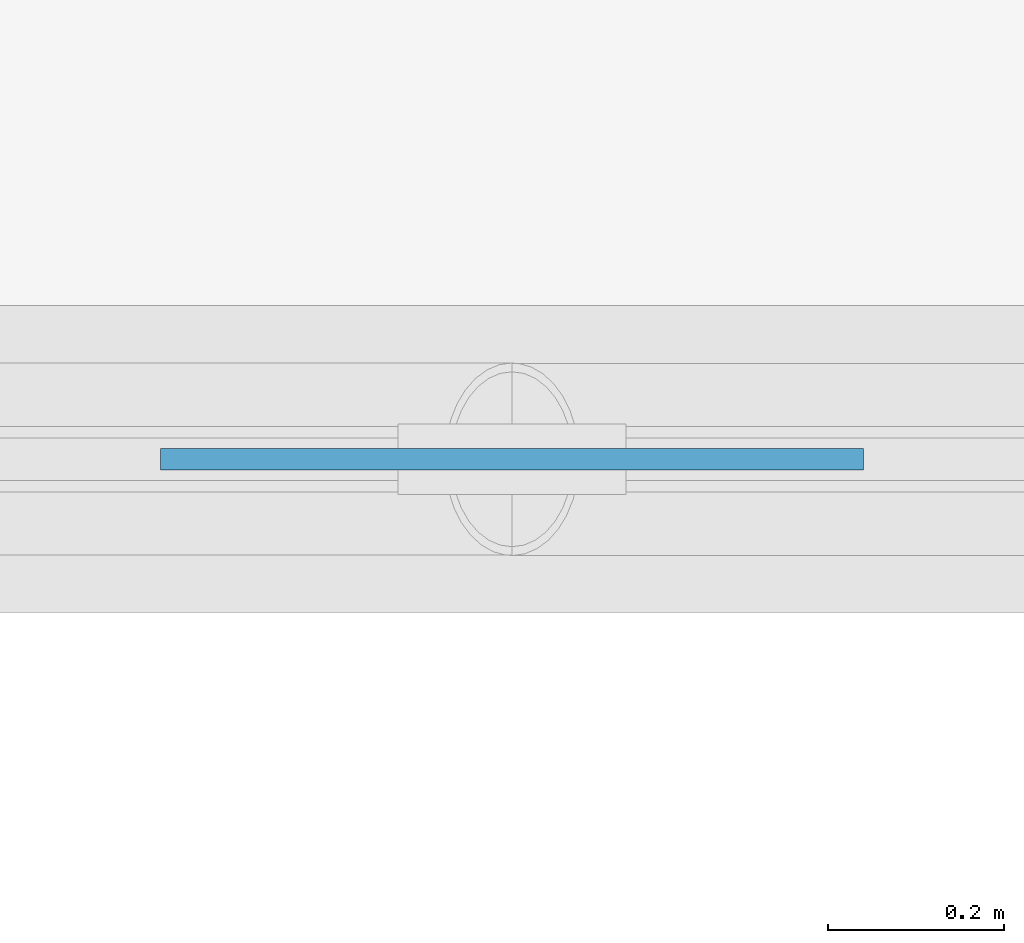
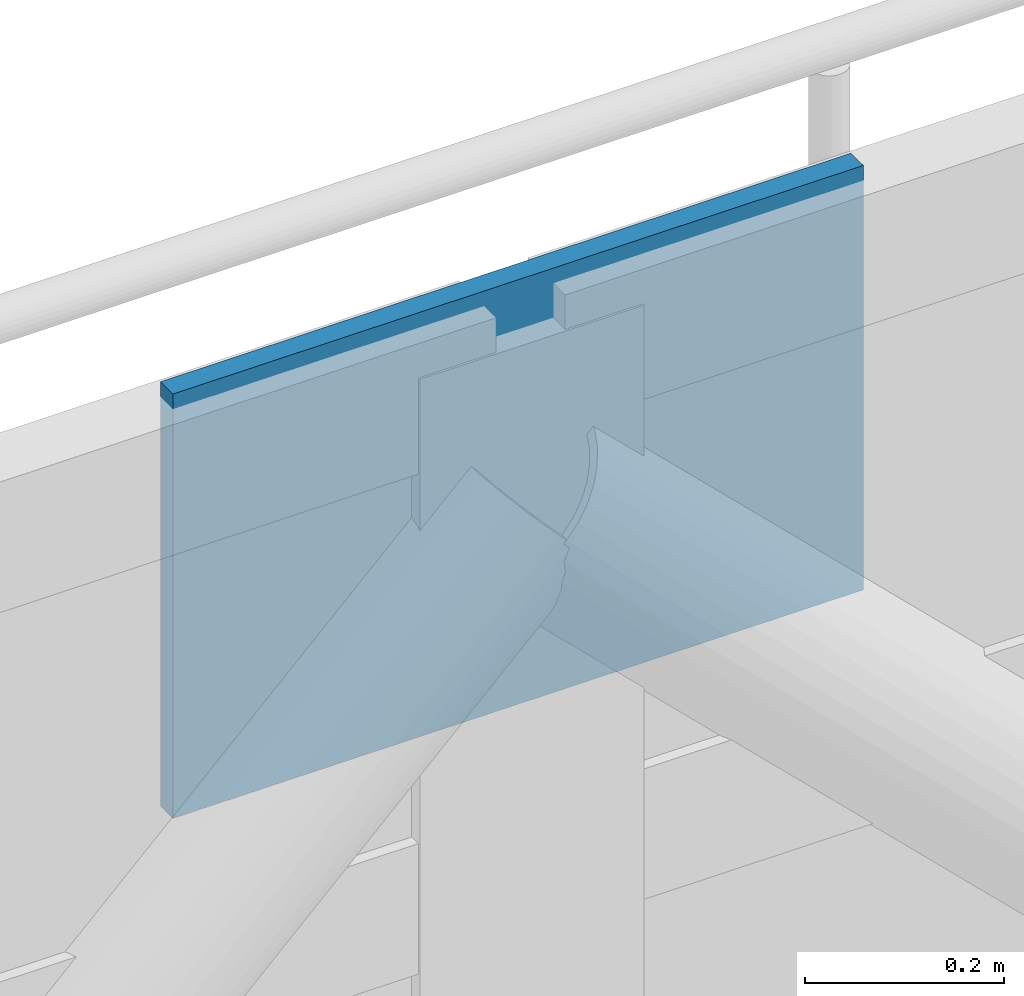
# One storey, part 29 of 57: 1 plate.
"""IFC4 building model written with IfcOpenShell, lengths in metres."""

from ifc_helpers import new_model, si_unit, direction, frame, origin, origin_2d, place, context, subcontext, project, spatial, rectangle, extrude, material, type_object, element, save


model = new_model("IFC4")

# Units and contexts
model_context = context("Model", 3, precision=1e-05, world=origin(), true_north=direction((0.0, 1.0)))
body_context = subcontext(model_context, "Body", "Model", "MODEL_VIEW")
ifc_project = project(units=[si_unit("LENGTHUNIT", "METRE"), si_unit("AREAUNIT", "SQUARE_METRE"), si_unit("VOLUMEUNIT", "CUBIC_METRE"), si_unit("PLANEANGLEUNIT", "RADIAN"), si_unit("MASSUNIT", "GRAM", prefix="KILO")], contexts=[model_context])

# Site, building, storey
site_placement = place(None, origin())
site = spatial("IfcSite", under=ifc_project, at=site_placement, CompositionType="ELEMENT")
building_placement = place(site_placement, origin())
building = spatial("IfcBuilding", under=site, at=building_placement, Name="Valkovuoma Quantum and Materials Research Institute", CompositionType="ELEMENT")
storey_placement = place(building_placement, frame((0.0, 0.0, 4.800048828125)))
storey = spatial("IfcBuildingStorey", under=building, at=storey_placement, Name="L01", CompositionType="ELEMENT", Elevation=4.800048828125)

# Plate
ifc_material = material(Name="Steel S355J2", Category="steel")
plate_type = type_object("IfcPlateType", Name="Plate-PL-SHT3", PredefinedType="SHEET", material=ifc_material)
plate_placement = place(storey_placement, frame((46.800048828125, 36.0, 3.349853515625), z_axis=(0.0, 0.0, 1.0), x_axis=(1.0, 0.0, 0.0)))
element("IfcPlate", 1, at=plate_placement, inside=storey, type_object=plate_type, Name="L01 chevron node sheet plate 02", PredefinedType="SHEET", context=body_context, shape_type="SweptSolid", body=[
    extrude(rectangle(XDim=0.800048828125, YDim=0.02490234375, at=origin_2d()), origin(), (0.0, 0.0, 1.0), 0.52001953125),
])

save(model, "model.ifc")
